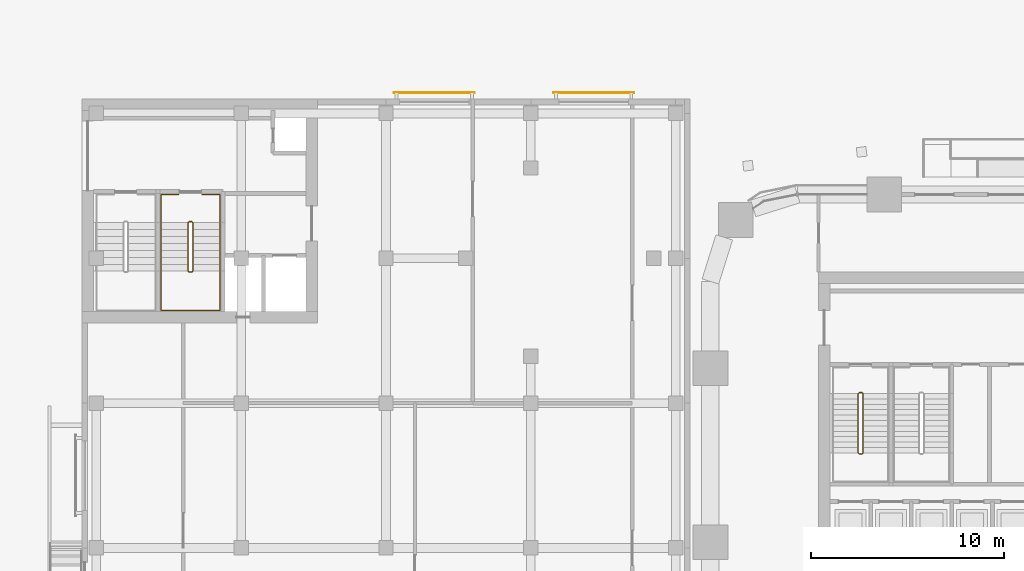
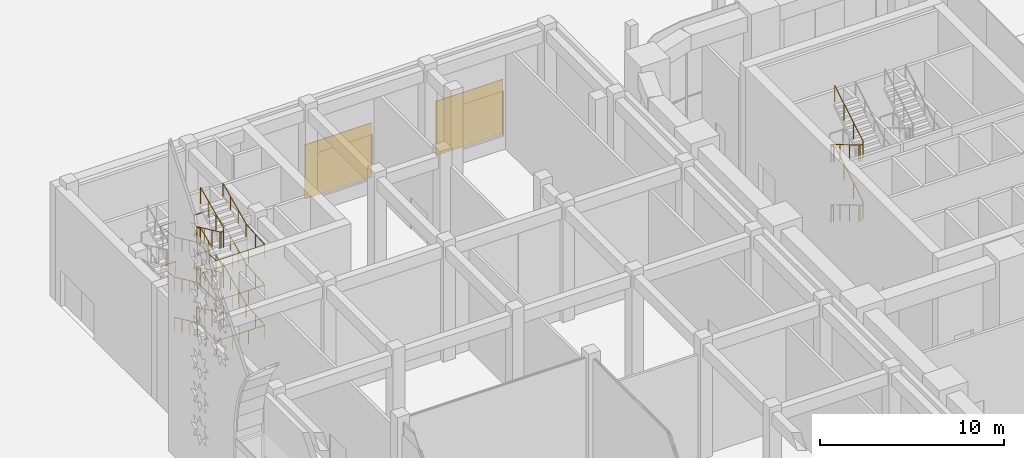
# One storey, part 57 of 64: 5 railings, 2 coverings.
"""IFC4 building model written with IfcOpenShell, lengths in metres."""

from ifc_helpers import new_model, si_unit, direction, frame, origin, origin_2d, place, context, subcontext, project, spatial, rectangle, circle, extrude, material, layer, layer_set, type_object, element, save


model = new_model("IFC4")

# Units and contexts
model_context = context("Model", 3, precision=1e-05, world=origin(), true_north=direction((0.0, 1.0)))
body_context = subcontext(model_context, "Body", "Model", "MODEL_VIEW")
ifc_project = project(units=[si_unit("LENGTHUNIT", "METRE"), si_unit("AREAUNIT", "SQUARE_METRE"), si_unit("VOLUMEUNIT", "CUBIC_METRE"), si_unit("PLANEANGLEUNIT", "RADIAN"), si_unit("MASSUNIT", "GRAM", prefix="KILO")], contexts=[model_context])

# Site, building, storey
site_placement = place(None, origin())
site = spatial("IfcSite", under=ifc_project, at=site_placement, CompositionType="ELEMENT")
building_placement = place(site_placement, origin())
building = spatial("IfcBuilding", under=site, at=building_placement, Name="Tessera Arch", CompositionType="ELEMENT")
storey_placement = place(building_placement, origin())
storey = spatial("IfcBuildingStorey", under=building, at=storey_placement, Name="L00", CompositionType="ELEMENT", Elevation=0.0)

# Coverings
ifc_material_1 = material(Name="Anodised aluminium pale metal", Category="aluminium")
ifc_layer = layer(ifc_material_1, 0.0400390625)
ifc_layer_set = layer_set([ifc_layer], Name="Museum screen panel")
covering_type = type_object("IfcCoveringType", Name="Museum screen panel", PredefinedType="CLADDING", material=ifc_layer_set)
for number, where, z_axis, x_axis, name in (
    (1, (-6.050048828125, 59.27001953125, 0.599853515625), (0.0, 0.0, 1.0), (-1.0, 0.0, 0.0), "Screen panel museum L00 5-2"),
    (2, (-14.300048828125, 59.27001953125, 0.599853515625), (0.0, 0.0, 1.0), (-1.0, 0.0, 0.0), "Screen panel museum L00 5-3"),
):
    element("IfcCovering", number, at=place(storey_placement, frame(where, z_axis=z_axis, x_axis=x_axis)), inside=storey, type_object=covering_type, Name=name, PredefinedType="CLADDING", context=body_context, shape_type="SweptSolid", body=[
        extrude(rectangle(XDim=4.199951171875, YDim=0.0400390625, at=origin_2d()), origin(), (0.0, 0.0, 1.0), 3.60009765625),
    ])

# Railings
ifc_material_2 = material(Name="Painted steel balustrade", Category="steel")
railing_type_1 = type_object("IfcRailingType", Name="Stair guard 1100", PredefinedType="GUARDRAIL", material=ifc_material_2)
railing_1_placement = place(storey_placement, frame((-27.0, 52.60009765625, 0.0)))
element("IfcRailing", 3, at=railing_1_placement, inside=storey, type_object=railing_type_1, Name="L00 M1b stair guard 1", PredefinedType="GUARDRAIL", context=body_context, shape_type="SweptSolid", body=[
    extrude(circle(Radius=0.02392578125, at=origin_2d()), frame((-0.00390625, 0.0, 1.076171875), z_axis=(1.0, 0.0, 0.0), x_axis=(0.0, 1.0, 0.0)), (0.0, 0.0, 1.0), 0.157958984375),
    extrude(circle(Radius=0.02392578125, at=origin_2d()), frame((0.15283203125, 0.000732421875, 1.073486328125), z_axis=(-0.754182335027, -0.188775798145, 0.628945707965), x_axis=(0.242814311512, -0.970072785993, 0.0)), (0.0, 0.0, 1.0), 0.273193359375),
    extrude(circle(Radius=0.02392578125, at=origin_2d()), frame((-0.050048828125, -0.04638671875, 1.2412109375), z_axis=(0.0, -0.907490492863, 0.420072619153), x_axis=(1.0, 0.0, 0.0)), (0.0, 0.0, 1.0), 2.784912109375),
    extrude(circle(Radius=0.02392578125, at=origin_2d()), frame((-0.052978515625, -2.567138671875, 2.4091796875), z_axis=(0.707106781187, -0.707106781187, 0.0), x_axis=(0.707106781187, 0.707106781187, 0.0)), (0.0, 0.0, 1.0), 0.078857421875),
    extrude(circle(Radius=0.02392578125, at=origin_2d()), frame((-0.00390625, -2.6201171875, 2.4091796875), z_axis=(1.0, 0.0, 0.0), x_axis=(0.0, 1.0, 0.0)), (0.0, 0.0, 1.0), 0.157958984375),
    extrude(circle(Radius=0.02392578125, at=origin_2d()), frame((0.148681640625, -2.621337890625, 2.405517578125), z_axis=(0.27628659633, 0.27628659633, 0.920506074601), x_axis=(-0.707106781187, 0.707106781187, 0.0)), (0.0, 0.0, 1.0), 0.189208984375),
    extrude(circle(Radius=0.02392578125, at=origin_2d()), frame((0.199951171875, -2.57373046875, 2.574462890625), z_axis=(0.0, 0.907456975791, 0.420145019115), x_axis=(-1.0, 0.0, 0.0)), (0.0, 0.0, 1.0), 2.784912109375),
    extrude(circle(Radius=0.02392578125, at=origin_2d()), frame((0.203857421875, -0.051025390625, 3.74267578125), z_axis=(-0.970072785993, 0.242814311512, 0.0), x_axis=(-0.242814311512, -0.970072785993, 0.0)), (0.0, 0.0, 1.0), 0.214111328125),
    extrude(circle(Radius=0.02392578125, at=origin_2d()), frame((-0.00390625, 0.0, 3.74267578125), z_axis=(1.0, 0.0, 0.0), x_axis=(0.0, 1.0, 0.0)), (0.0, 0.0, 1.0), 0.157958984375),
    extrude(circle(Radius=0.02392578125, at=origin_2d()), frame((0.15283203125, 0.000732421875, 3.740234375), z_axis=(-0.754619193878, -0.188885146209, 0.628388632753), x_axis=(0.242814311512, -0.970072785993, 0.0)), (0.0, 0.0, 1.0), 0.27294921875),
    extrude(circle(Radius=0.02392578125, at=origin_2d()), frame((-0.050048828125, -0.04638671875, 3.90771484375), z_axis=(0.0, -0.907456975791, 0.420145019115), x_axis=(1.0, 0.0, 0.0)), (0.0, 0.0, 1.0), 2.784912109375),
    extrude(circle(Radius=0.02392578125, at=origin_2d()), frame((-0.052978515625, -2.567138671875, 5.076171875), z_axis=(0.707106781187, -0.707106781187, 0.0), x_axis=(0.707106781187, 0.707106781187, 0.0)), (0.0, 0.0, 1.0), 0.078857421875),
    extrude(circle(Radius=0.02392578125, at=origin_2d()), frame((-0.00390625, -2.6201171875, 5.076171875), z_axis=(1.0, 0.0, 0.0), x_axis=(0.0, 1.0, 0.0)), (0.0, 0.0, 1.0), 0.157958984375),
    extrude(circle(Radius=0.02392578125, at=origin_2d()), frame((0.148681640625, -2.621337890625, 5.072265625), z_axis=(0.27628659633, 0.27628659633, 0.920506074601), x_axis=(-0.707106781187, 0.707106781187, 0.0)), (0.0, 0.0, 1.0), 0.189208984375),
    extrude(circle(Radius=0.02392578125, at=origin_2d()), frame((0.199951171875, -2.57373046875, 5.2412109375), z_axis=(0.0, 0.907490492863, 0.420072619153), x_axis=(-1.0, 0.0, 0.0)), (0.0, 0.0, 1.0), 2.784912109375),
    extrude(circle(Radius=0.02392578125, at=origin_2d()), frame((0.203857421875, -0.051025390625, 6.4091796875), z_axis=(-0.970072785993, 0.242814311512, 0.0), x_axis=(-0.242814311512, -0.970072785993, 0.0)), (0.0, 0.0, 1.0), 0.214111328125),
    extrude(circle(Radius=0.02392578125, at=origin_2d()), frame((-0.00390625, 0.0, 6.4091796875), z_axis=(1.0, 0.0, 0.0), x_axis=(0.0, 1.0, 0.0)), (0.0, 0.0, 1.0), 0.157958984375),
    extrude(circle(Radius=0.02392578125, at=origin_2d()), frame((0.15283203125, 0.000732421875, 6.40673828125), z_axis=(-0.754182335027, -0.188775798145, 0.628945707965), x_axis=(0.242814311512, -0.970072785993, 0.0)), (0.0, 0.0, 1.0), 0.273193359375),
    extrude(circle(Radius=0.02392578125, at=origin_2d()), frame((-0.050048828125, -0.04638671875, 6.574462890625), z_axis=(0.0, -0.907456975791, 0.420145019115), x_axis=(1.0, 0.0, 0.0)), (0.0, 0.0, 1.0), 2.784912109375),
    extrude(circle(Radius=0.02392578125, at=origin_2d()), frame((-0.052978515625, -2.567138671875, 7.74267578125), z_axis=(0.707106781187, -0.707106781187, 0.0), x_axis=(0.707106781187, 0.707106781187, 0.0)), (0.0, 0.0, 1.0), 0.078857421875),
    extrude(circle(Radius=0.02392578125, at=origin_2d()), frame((-0.00390625, -2.6201171875, 7.74267578125), z_axis=(1.0, 0.0, 0.0), x_axis=(0.0, 1.0, 0.0)), (0.0, 0.0, 1.0), 0.157958984375),
    extrude(circle(Radius=0.02392578125, at=origin_2d()), frame((0.148681640625, -2.621337890625, 7.739013671875), z_axis=(0.27662974545, 0.27662974545, 0.920299933644), x_axis=(-0.707106781187, 0.707106781187, 0.0)), (0.0, 0.0, 1.0), 0.18896484375),
    extrude(circle(Radius=0.02392578125, at=origin_2d()), frame((0.199951171875, -2.57373046875, 7.90771484375), z_axis=(0.0, 0.907456975791, 0.420145019115), x_axis=(-1.0, 0.0, 0.0)), (0.0, 0.0, 1.0), 2.784912109375),
    extrude(circle(Radius=0.02099609375, at=origin_2d()), origin(), (0.0, 0.0, 1.0), 1.06396484375),
    extrude(circle(Radius=0.02099609375, at=origin_2d()), frame((0.14990234375, 0.0, 0.0)), (0.0, 0.0, 1.0), 1.06396484375),
    extrude(circle(Radius=0.02099609375, at=origin_2d()), frame((-0.050048828125, -0.050048828125, 0.166748046875)), (0.0, 0.0, 1.0), 1.06396484375),
    extrude(circle(Radius=0.02099609375, at=origin_2d()), frame((-0.050048828125, -0.89013671875, 0.5556640625)), (0.0, 0.0, 1.0), 1.06396484375),
    extrude(circle(Radius=0.02099609375, at=origin_2d()), frame((-0.050048828125, -1.72998046875, 0.9443359375)), (0.0, 0.0, 1.0), 1.06396484375),
    extrude(circle(Radius=0.02099609375, at=origin_2d()), frame((-0.050048828125, -2.570068359375, 1.333251953125)), (0.0, 0.0, 1.0), 1.06396484375),
    extrude(circle(Radius=0.02099609375, at=origin_2d()), frame((0.0, -2.6201171875, 1.333251953125)), (0.0, 0.0, 1.0), 1.06396484375),
    extrude(circle(Radius=0.02099609375, at=origin_2d()), frame((0.14990234375, -2.6201171875, 1.333251953125)), (0.0, 0.0, 1.0), 1.06396484375),
    extrude(circle(Radius=0.02099609375, at=origin_2d()), frame((0.199951171875, -2.570068359375, 1.5)), (0.0, 0.0, 1.0), 1.06396484375),
    extrude(circle(Radius=0.02099609375, at=origin_2d()), frame((0.199951171875, -1.72998046875, 1.888916015625)), (0.0, 0.0, 1.0), 1.06396484375),
    extrude(circle(Radius=0.02099609375, at=origin_2d()), frame((0.199951171875, -0.89013671875, 2.27783203125)), (0.0, 0.0, 1.0), 1.06396484375),
    extrude(circle(Radius=0.02099609375, at=origin_2d()), frame((0.199951171875, -0.050048828125, 2.666748046875)), (0.0, 0.0, 1.0), 1.06396484375),
    extrude(circle(Radius=0.02099609375, at=origin_2d()), frame((0.0, 0.0, 2.666748046875)), (0.0, 0.0, 1.0), 1.06396484375),
    extrude(circle(Radius=0.02099609375, at=origin_2d()), frame((0.14990234375, 0.0, 2.666748046875)), (0.0, 0.0, 1.0), 1.06396484375),
    extrude(circle(Radius=0.02099609375, at=origin_2d()), frame((-0.050048828125, -0.050048828125, 2.833251953125)), (0.0, 0.0, 1.0), 1.06396484375),
    extrude(circle(Radius=0.02099609375, at=origin_2d()), frame((-0.050048828125, -0.89013671875, 3.22216796875)), (0.0, 0.0, 1.0), 1.06396484375),
    extrude(circle(Radius=0.02099609375, at=origin_2d()), frame((-0.050048828125, -1.72998046875, 3.611083984375)), (0.0, 0.0, 1.0), 1.06396484375),
    extrude(circle(Radius=0.02099609375, at=origin_2d()), frame((-0.050048828125, -2.570068359375, 4.0)), (0.0, 0.0, 1.0), 1.06396484375),
    extrude(circle(Radius=0.02099609375, at=origin_2d()), frame((0.0, -2.6201171875, 4.0)), (0.0, 0.0, 1.0), 1.06396484375),
    extrude(circle(Radius=0.02099609375, at=origin_2d()), frame((0.14990234375, -2.6201171875, 4.0)), (0.0, 0.0, 1.0), 1.06396484375),
    extrude(circle(Radius=0.02099609375, at=origin_2d()), frame((0.199951171875, -2.570068359375, 4.166748046875)), (0.0, 0.0, 1.0), 1.06396484375),
    extrude(circle(Radius=0.02099609375, at=origin_2d()), frame((0.199951171875, -1.72998046875, 4.5556640625)), (0.0, 0.0, 1.0), 1.06396484375),
    extrude(circle(Radius=0.02099609375, at=origin_2d()), frame((0.199951171875, -0.89013671875, 4.9443359375)), (0.0, 0.0, 1.0), 1.06396484375),
    extrude(circle(Radius=0.02099609375, at=origin_2d()), frame((0.199951171875, -0.050048828125, 5.333251953125)), (0.0, 0.0, 1.0), 1.06396484375),
    extrude(circle(Radius=0.02099609375, at=origin_2d()), frame((0.0, 0.0, 5.333251953125)), (0.0, 0.0, 1.0), 1.06396484375),
    extrude(circle(Radius=0.02099609375, at=origin_2d()), frame((0.14990234375, 0.0, 5.333251953125)), (0.0, 0.0, 1.0), 1.06396484375),
    extrude(circle(Radius=0.02099609375, at=origin_2d()), frame((-0.050048828125, -0.050048828125, 5.5)), (0.0, 0.0, 1.0), 1.06396484375),
    extrude(circle(Radius=0.02099609375, at=origin_2d()), frame((-0.050048828125, -0.89013671875, 5.888916015625)), (0.0, 0.0, 1.0), 1.06396484375),
    extrude(circle(Radius=0.02099609375, at=origin_2d()), frame((-0.050048828125, -1.72998046875, 6.27783203125)), (0.0, 0.0, 1.0), 1.06396484375),
    extrude(circle(Radius=0.02099609375, at=origin_2d()), frame((-0.050048828125, -2.570068359375, 6.666748046875)), (0.0, 0.0, 1.0), 1.06396484375),
    extrude(circle(Radius=0.02099609375, at=origin_2d()), frame((0.0, -2.6201171875, 6.666748046875)), (0.0, 0.0, 1.0), 1.06396484375),
    extrude(circle(Radius=0.02099609375, at=origin_2d()), frame((0.14990234375, -2.6201171875, 6.666748046875)), (0.0, 0.0, 1.0), 1.06396484375),
    extrude(circle(Radius=0.02099609375, at=origin_2d()), frame((0.199951171875, -2.570068359375, 6.833251953125)), (0.0, 0.0, 1.0), 1.06396484375),
    extrude(circle(Radius=0.02099609375, at=origin_2d()), frame((0.199951171875, -1.72998046875, 7.22216796875)), (0.0, 0.0, 1.0), 1.06396484375),
    extrude(circle(Radius=0.02099609375, at=origin_2d()), frame((0.199951171875, -0.89013671875, 7.611083984375)), (0.0, 0.0, 1.0), 1.06396484375),
    extrude(circle(Radius=0.02099609375, at=origin_2d()), frame((0.199951171875, -0.050048828125, 8.0)), (0.0, 0.0, 1.0), 1.06396484375),
])
railing_2_placement = place(storey_placement, frame((7.699951171875, 43.75, 0.0)))
element("IfcRailing", 4, at=railing_2_placement, inside=storey, type_object=railing_type_1, Name="L00 S2a stair guard 1", PredefinedType="GUARDRAIL", context=body_context, shape_type="SweptSolid", body=[
    extrude(circle(Radius=0.02392578125, at=origin_2d()), frame((-0.00390625, 0.0, 1.076171875), z_axis=(1.0, 0.0, 0.0), x_axis=(0.0, 1.0, 0.0)), (0.0, 0.0, 1.0), 0.158203125),
    extrude(circle(Radius=0.02392578125, at=origin_2d()), frame((0.153076171875, 0.000732421875, 1.073486328125), z_axis=(-0.75457900375, -0.188644750937, 0.628509097026), x_axis=(0.242535625036, -0.970142500145, 0.0)), (0.0, 0.0, 1.0), 0.273193359375),
    extrude(circle(Radius=0.02392578125, at=origin_2d()), frame((-0.050048828125, -0.046630859375, 1.24072265625), z_axis=(0.0, -0.859290745958, 0.51148745235), x_axis=(1.0, 0.0, 0.0)), (0.0, 0.0, 1.0), 3.592041015625),
    extrude(circle(Radius=0.02392578125, at=origin_2d()), frame((-0.052978515625, -3.126953125, 3.076171875), z_axis=(0.707106781187, -0.707106781187, 0.0), x_axis=(0.707106781187, 0.707106781187, 0.0)), (0.0, 0.0, 1.0), 0.078857421875),
    extrude(circle(Radius=0.02392578125, at=origin_2d()), frame((-0.00390625, -3.179931640625, 3.076171875), z_axis=(1.0, 0.0, 0.0), x_axis=(0.0, 1.0, 0.0)), (0.0, 0.0, 1.0), 0.158203125),
    extrude(circle(Radius=0.02392578125, at=origin_2d()), frame((0.14892578125, -3.18115234375, 3.072265625), z_axis=(0.275041040955, 0.276389281352, 0.920848191041), x_axis=(-0.708833529934, 0.705375805398, 0.0)), (0.0, 0.0, 1.0), 0.18896484375),
    extrude(circle(Radius=0.02392578125, at=origin_2d()), frame((0.199951171875, -3.13330078125, 3.24072265625), z_axis=(0.0, 0.859290745958, 0.51148745235), x_axis=(-1.0, 0.0, 0.0)), (0.0, 0.0, 1.0), 3.592041015625),
    extrude(circle(Radius=0.02392578125, at=origin_2d()), frame((0.203857421875, -0.051025390625, 5.076171875), z_axis=(-0.970072785993, 0.242814311512, 0.0), x_axis=(-0.242814311512, -0.970072785993, 0.0)), (0.0, 0.0, 1.0), 0.214111328125),
    extrude(circle(Radius=0.02392578125, at=origin_2d()), frame((-0.00390625, 0.0, 5.076171875), z_axis=(1.0, 0.0, 0.0), x_axis=(0.0, 1.0, 0.0)), (0.0, 0.0, 1.0), 0.158203125),
    extrude(circle(Radius=0.02392578125, at=origin_2d()), frame((0.153076171875, 0.000732421875, 5.073486328125), z_axis=(-0.75457900375, -0.188644750937, 0.628509097026), x_axis=(0.242535625036, -0.970142500145, 0.0)), (0.0, 0.0, 1.0), 0.273193359375),
    extrude(circle(Radius=0.02392578125, at=origin_2d()), frame((-0.050048828125, -0.046630859375, 5.24072265625), z_axis=(0.0, -0.859290745958, 0.51148745235), x_axis=(1.0, 0.0, 0.0)), (0.0, 0.0, 1.0), 3.592041015625),
    extrude(circle(Radius=0.02392578125, at=origin_2d()), frame((-0.052978515625, -3.126953125, 7.076171875), z_axis=(0.707106781187, -0.707106781187, 0.0), x_axis=(0.707106781187, 0.707106781187, 0.0)), (0.0, 0.0, 1.0), 0.078857421875),
    extrude(circle(Radius=0.02392578125, at=origin_2d()), frame((-0.00390625, -3.179931640625, 7.076171875), z_axis=(1.0, 0.0, 0.0), x_axis=(0.0, 1.0, 0.0)), (0.0, 0.0, 1.0), 0.158203125),
    extrude(circle(Radius=0.02392578125, at=origin_2d()), frame((0.14892578125, -3.18115234375, 7.072265625), z_axis=(0.275041040955, 0.276389281352, 0.920848191041), x_axis=(-0.708833529934, 0.705375805398, 0.0)), (0.0, 0.0, 1.0), 0.18896484375),
    extrude(circle(Radius=0.02392578125, at=origin_2d()), frame((0.199951171875, -3.13330078125, 7.24072265625), z_axis=(0.0, 0.859290745958, 0.51148745235), x_axis=(-1.0, 0.0, 0.0)), (0.0, 0.0, 1.0), 3.592041015625),
    extrude(circle(Radius=0.02099609375, at=origin_2d()), origin(), (0.0, 0.0, 1.0), 1.06396484375),
    extrude(circle(Radius=0.02099609375, at=origin_2d()), frame((0.150146484375, 0.0, 0.0)), (0.0, 0.0, 1.0), 1.06396484375),
    extrude(circle(Radius=0.02099609375, at=origin_2d()), frame((-0.050048828125, -0.050048828125, 0.166748046875)), (0.0, 0.0, 1.0), 1.06396484375),
    extrude(circle(Radius=0.02099609375, at=origin_2d()), frame((-0.050048828125, -1.07666015625, 0.77783203125)), (0.0, 0.0, 1.0), 1.06396484375),
    extrude(circle(Radius=0.02099609375, at=origin_2d()), frame((-0.050048828125, -2.103271484375, 1.388916015625)), (0.0, 0.0, 1.0), 1.06396484375),
    extrude(circle(Radius=0.02099609375, at=origin_2d()), frame((-0.050048828125, -3.1298828125, 2.0)), (0.0, 0.0, 1.0), 1.06396484375),
    extrude(circle(Radius=0.02099609375, at=origin_2d()), frame((0.0, -3.179931640625, 2.0)), (0.0, 0.0, 1.0), 1.06396484375),
    extrude(circle(Radius=0.02099609375, at=origin_2d()), frame((0.150146484375, -3.179931640625, 2.0)), (0.0, 0.0, 1.0), 1.06396484375),
    extrude(circle(Radius=0.02099609375, at=origin_2d()), frame((0.199951171875, -3.1298828125, 2.166748046875)), (0.0, 0.0, 1.0), 1.06396484375),
    extrude(circle(Radius=0.02099609375, at=origin_2d()), frame((0.199951171875, -2.103271484375, 2.77783203125)), (0.0, 0.0, 1.0), 1.06396484375),
    extrude(circle(Radius=0.02099609375, at=origin_2d()), frame((0.199951171875, -1.07666015625, 3.388916015625)), (0.0, 0.0, 1.0), 1.06396484375),
    extrude(circle(Radius=0.02099609375, at=origin_2d()), frame((0.199951171875, -0.050048828125, 4.0)), (0.0, 0.0, 1.0), 1.06396484375),
    extrude(circle(Radius=0.02099609375, at=origin_2d()), frame((0.0, 0.0, 4.0)), (0.0, 0.0, 1.0), 1.06396484375),
    extrude(circle(Radius=0.02099609375, at=origin_2d()), frame((0.150146484375, 0.0, 4.0)), (0.0, 0.0, 1.0), 1.06396484375),
    extrude(circle(Radius=0.02099609375, at=origin_2d()), frame((-0.050048828125, -0.050048828125, 4.166748046875)), (0.0, 0.0, 1.0), 1.06396484375),
    extrude(circle(Radius=0.02099609375, at=origin_2d()), frame((-0.050048828125, -1.07666015625, 4.77783203125)), (0.0, 0.0, 1.0), 1.06396484375),
    extrude(circle(Radius=0.02099609375, at=origin_2d()), frame((-0.050048828125, -2.103271484375, 5.388916015625)), (0.0, 0.0, 1.0), 1.06396484375),
    extrude(circle(Radius=0.02099609375, at=origin_2d()), frame((-0.050048828125, -3.1298828125, 6.0)), (0.0, 0.0, 1.0), 1.06396484375),
    extrude(circle(Radius=0.02099609375, at=origin_2d()), frame((0.0, -3.179931640625, 6.0)), (0.0, 0.0, 1.0), 1.06396484375),
    extrude(circle(Radius=0.02099609375, at=origin_2d()), frame((0.150146484375, -3.179931640625, 6.0)), (0.0, 0.0, 1.0), 1.06396484375),
    extrude(circle(Radius=0.02099609375, at=origin_2d()), frame((0.199951171875, -3.1298828125, 6.166748046875)), (0.0, 0.0, 1.0), 1.06396484375),
    extrude(circle(Radius=0.02099609375, at=origin_2d()), frame((0.199951171875, -2.103271484375, 6.77783203125)), (0.0, 0.0, 1.0), 1.06396484375),
    extrude(circle(Radius=0.02099609375, at=origin_2d()), frame((0.199951171875, -1.07666015625, 7.388916015625)), (0.0, 0.0, 1.0), 1.06396484375),
    extrude(circle(Radius=0.02099609375, at=origin_2d()), frame((0.199951171875, -0.050048828125, 8.0)), (0.0, 0.0, 1.0), 1.06396484375),
])
ifc_material_3 = material(Name="Painted steel handrail", Category="steel")
railing_type_2 = type_object("IfcRailingType", Name="Stair handrail 900", PredefinedType="HANDRAIL", material=ifc_material_3)
railing_3_placement = place(storey_placement, frame((-28.449951171875, 52.550048828125, 0.166748046875)))
element("IfcRailing", 5, at=railing_3_placement, inside=storey, type_object=railing_type_2, Name="L00 M1b stair handrail", PredefinedType="HANDRAIL", context=body_context, shape_type="SweptSolid", body=[
    extrude(circle(Radius=0.02392578125, at=origin_2d()), frame((0.0, 0.003662109375, 0.874267578125), z_axis=(0.0, -0.907490492863, 0.420072619153), x_axis=(1.0, 0.0, 0.0)), (0.0, 0.0, 1.0), 2.784912109375),
    extrude(circle(Radius=0.02392578125, at=origin_2d()), frame((0.0, -2.51611328125, 2.04248046875), z_axis=(0.0, -1.0, 0.0), x_axis=(1.0, 0.0, 0.0)), (0.0, 0.0, 1.0), 2.0380859375),
    extrude(circle(Radius=0.02392578125, at=origin_2d()), frame((-0.00390625, -4.550048828125, 2.04248046875), z_axis=(1.0, 0.0, 0.0), x_axis=(0.0, 1.0, 0.0)), (0.0, 0.0, 1.0), 3.05810546875),
    extrude(circle(Radius=0.02392578125, at=origin_2d()), frame((3.050048828125, -4.553955078125, 2.0419921875), z_axis=(0.0, 0.996643427735, 0.081864998334), x_axis=(-1.0, 0.0, 0.0)), (0.0, 0.0, 1.0), 2.044921875),
    extrude(circle(Radius=0.02392578125, at=origin_2d()), frame((3.050048828125, -2.523681640625, 2.20751953125), z_axis=(0.0, 0.907456975791, 0.420145019115), x_axis=(-1.0, 0.0, 0.0)), (0.0, 0.0, 1.0), 2.784912109375),
    extrude(circle(Radius=0.02392578125, at=origin_2d()), frame((3.050048828125, -0.00390625, 3.3759765625), z_axis=(0.0, 1.0, 0.0), x_axis=(-1.0, 0.0, 0.0)), (0.0, 0.0, 1.0), 1.4580078125),
    extrude(circle(Radius=0.02392578125, at=origin_2d()), frame((3.053955078125, 1.449951171875, 3.3759765625), z_axis=(-1.0, 0.0, 0.0), x_axis=(0.0, -1.0, 0.0)), (0.0, 0.0, 1.0), 0.93310546875),
    extrude(circle(Radius=0.02099609375, at=origin_2d()), origin(), (0.0, 0.0, 1.0), 0.86376953125),
    extrude(circle(Radius=0.02099609375, at=origin_2d()), frame((0.0, -0.840087890625, 0.388916015625)), (0.0, 0.0, 1.0), 0.86376953125),
    extrude(circle(Radius=0.02099609375, at=origin_2d()), frame((0.0, -1.679931640625, 0.777587890625)), (0.0, 0.0, 1.0), 0.86376953125),
    extrude(circle(Radius=0.02099609375, at=origin_2d()), frame((0.0, -2.52001953125, 1.16650390625)), (0.0, 0.0, 1.0), 0.86376953125),
    extrude(circle(Radius=0.02099609375, at=origin_2d()), frame((0.0, -3.53515625, 1.16650390625)), (0.0, 0.0, 1.0), 0.86376953125),
    extrude(circle(Radius=0.02099609375, at=origin_2d()), frame((0.0, -4.550048828125, 1.16650390625)), (0.0, 0.0, 1.0), 0.86376953125),
    extrude(circle(Radius=0.02099609375, at=origin_2d()), frame((1.0166015625, -4.550048828125, 1.16650390625)), (0.0, 0.0, 1.0), 0.86376953125),
    extrude(circle(Radius=0.02099609375, at=origin_2d()), frame((2.033447265625, -4.550048828125, 1.16650390625)), (0.0, 0.0, 1.0), 0.86376953125),
    extrude(circle(Radius=0.02099609375, at=origin_2d()), frame((3.050048828125, -4.550048828125, 1.16650390625)), (0.0, 0.0, 1.0), 0.86376953125),
    extrude(circle(Radius=0.02099609375, at=origin_2d()), frame((3.050048828125, -3.53515625, 1.25)), (0.0, 0.0, 1.0), 0.86376953125),
    extrude(circle(Radius=0.02099609375, at=origin_2d()), frame((3.050048828125, -2.52001953125, 1.333251953125)), (0.0, 0.0, 1.0), 0.86376953125),
    extrude(circle(Radius=0.02099609375, at=origin_2d()), frame((3.050048828125, -1.679931640625, 1.72216796875)), (0.0, 0.0, 1.0), 0.86376953125),
    extrude(circle(Radius=0.02099609375, at=origin_2d()), frame((3.050048828125, -0.840087890625, 2.111083984375)), (0.0, 0.0, 1.0), 0.86376953125),
    extrude(circle(Radius=0.02099609375, at=origin_2d()), frame((3.050048828125, 0.0, 2.5)), (0.0, 0.0, 1.0), 0.86376953125),
    extrude(circle(Radius=0.02099609375, at=origin_2d()), frame((3.050048828125, 0.72509765625, 2.5)), (0.0, 0.0, 1.0), 0.86376953125),
    extrude(circle(Radius=0.02099609375, at=origin_2d()), frame((3.050048828125, 1.449951171875, 2.5)), (0.0, 0.0, 1.0), 0.86376953125),
    extrude(circle(Radius=0.02099609375, at=origin_2d()), frame((2.125, 1.449951171875, 2.5)), (0.0, 0.0, 1.0), 0.86376953125),
])
railing_4_placement = place(storey_placement, frame((-27.52490234375, 54.0, 2.666748046875)))
element("IfcRailing", 6, at=railing_4_placement, inside=storey, type_object=railing_type_2, Name="L00 M1b stair handrail 2", PredefinedType="HANDRAIL", context=body_context, shape_type="SweptSolid", body=[
    extrude(circle(Radius=0.02392578125, at=origin_2d()), frame((0.00390625, 0.0, 0.8759765625), z_axis=(-1.0, 0.0, 0.0), x_axis=(0.0, -1.0, 0.0)), (0.0, 0.0, 1.0), 0.93310546875),
    extrude(circle(Radius=0.02392578125, at=origin_2d()), frame((-0.925048828125, 0.00390625, 0.87548828125), z_axis=(0.0, -0.993471061085, 0.114084402031), x_axis=(1.0, 0.0, 0.0)), (0.0, 0.0, 1.0), 1.467529296875),
    extrude(circle(Radius=0.02392578125, at=origin_2d()), frame((-0.925048828125, -1.4462890625, 1.040771484375), z_axis=(0.0, -0.907456975791, 0.420145019115), x_axis=(1.0, 0.0, 0.0)), (0.0, 0.0, 1.0), 2.784912109375),
    extrude(circle(Radius=0.02392578125, at=origin_2d()), frame((-0.925048828125, -3.966064453125, 2.208984375), z_axis=(0.0, -1.0, 0.0), x_axis=(1.0, 0.0, 0.0)), (0.0, 0.0, 1.0), 2.0380859375),
    extrude(circle(Radius=0.02392578125, at=origin_2d()), frame((-0.928955078125, -6.0, 2.208984375), z_axis=(1.0, 0.0, 0.0), x_axis=(0.0, 1.0, 0.0)), (0.0, 0.0, 1.0), 3.05810546875),
    extrude(circle(Radius=0.02392578125, at=origin_2d()), frame((2.125, -6.00390625, 2.208740234375), z_axis=(0.0, 0.996643427735, 0.081864998334), x_axis=(-1.0, 0.0, 0.0)), (0.0, 0.0, 1.0), 2.044921875),
    extrude(circle(Radius=0.02392578125, at=origin_2d()), frame((2.125, -3.9736328125, 2.374267578125), z_axis=(0.0, 0.907490492863, 0.420072619153), x_axis=(-1.0, 0.0, 0.0)), (0.0, 0.0, 1.0), 2.784912109375),
    extrude(circle(Radius=0.02392578125, at=origin_2d()), frame((2.125, -1.453857421875, 3.54248046875), z_axis=(0.0, 1.0, 0.0), x_axis=(-1.0, 0.0, 0.0)), (0.0, 0.0, 1.0), 1.4580078125),
    extrude(circle(Radius=0.02392578125, at=origin_2d()), frame((2.12890625, 0.0, 3.54248046875), z_axis=(-1.0, 0.0, 0.0), x_axis=(0.0, -1.0, 0.0)), (0.0, 0.0, 1.0), 0.93310546875),
    extrude(circle(Radius=0.02099609375, at=origin_2d()), origin(), (0.0, 0.0, 1.0), 0.86376953125),
    extrude(circle(Radius=0.02099609375, at=origin_2d()), frame((-0.925048828125, 0.0, 0.0)), (0.0, 0.0, 1.0), 0.86376953125),
    extrude(circle(Radius=0.02099609375, at=origin_2d()), frame((-0.925048828125, -0.72509765625, 0.083251953125)), (0.0, 0.0, 1.0), 0.86376953125),
    extrude(circle(Radius=0.02099609375, at=origin_2d()), frame((-0.925048828125, -1.449951171875, 0.16650390625)), (0.0, 0.0, 1.0), 0.86376953125),
    extrude(circle(Radius=0.02099609375, at=origin_2d()), frame((-0.925048828125, -2.2900390625, 0.555419921875)), (0.0, 0.0, 1.0), 0.86376953125),
    extrude(circle(Radius=0.02099609375, at=origin_2d()), frame((-0.925048828125, -3.1298828125, 0.9443359375)), (0.0, 0.0, 1.0), 0.86376953125),
    extrude(circle(Radius=0.02099609375, at=origin_2d()), frame((-0.925048828125, -3.969970703125, 1.333251953125)), (0.0, 0.0, 1.0), 0.86376953125),
    extrude(circle(Radius=0.02099609375, at=origin_2d()), frame((-0.925048828125, -4.98486328125, 1.333251953125)), (0.0, 0.0, 1.0), 0.86376953125),
    extrude(circle(Radius=0.02099609375, at=origin_2d()), frame((-0.925048828125, -6.0, 1.333251953125)), (0.0, 0.0, 1.0), 0.86376953125),
    extrude(circle(Radius=0.02099609375, at=origin_2d()), frame((0.091552734375, -6.0, 1.333251953125)), (0.0, 0.0, 1.0), 0.86376953125),
    extrude(circle(Radius=0.02099609375, at=origin_2d()), frame((1.1083984375, -6.0, 1.333251953125)), (0.0, 0.0, 1.0), 0.86376953125),
    extrude(circle(Radius=0.02099609375, at=origin_2d()), frame((2.125, -6.0, 1.333251953125)), (0.0, 0.0, 1.0), 0.86376953125),
    extrude(circle(Radius=0.02099609375, at=origin_2d()), frame((2.125, -4.98486328125, 1.41650390625)), (0.0, 0.0, 1.0), 0.86376953125),
    extrude(circle(Radius=0.02099609375, at=origin_2d()), frame((2.125, -3.969970703125, 1.5)), (0.0, 0.0, 1.0), 0.86376953125),
    extrude(circle(Radius=0.02099609375, at=origin_2d()), frame((2.125, -3.1298828125, 1.888916015625)), (0.0, 0.0, 1.0), 0.86376953125),
    extrude(circle(Radius=0.02099609375, at=origin_2d()), frame((2.125, -2.2900390625, 2.277587890625)), (0.0, 0.0, 1.0), 0.86376953125),
    extrude(circle(Radius=0.02099609375, at=origin_2d()), frame((2.125, -1.449951171875, 2.66650390625)), (0.0, 0.0, 1.0), 0.86376953125),
    extrude(circle(Radius=0.02099609375, at=origin_2d()), frame((2.125, -0.72509765625, 2.66650390625)), (0.0, 0.0, 1.0), 0.86376953125),
    extrude(circle(Radius=0.02099609375, at=origin_2d()), frame((2.125, 0.0, 2.66650390625)), (0.0, 0.0, 1.0), 0.86376953125),
    extrude(circle(Radius=0.02099609375, at=origin_2d()), frame((1.199951171875, 0.0, 2.66650390625)), (0.0, 0.0, 1.0), 0.86376953125),
])
railing_5_placement = place(storey_placement, frame((-27.52490234375, 54.0, 5.333251953125)))
element("IfcRailing", 7, at=railing_5_placement, inside=storey, type_object=railing_type_2, Name="L00 M1b stair handrail 3", PredefinedType="HANDRAIL", context=body_context, shape_type="SweptSolid", body=[
    extrude(circle(Radius=0.02392578125, at=origin_2d()), frame((0.00390625, 0.0, 0.8759765625), z_axis=(-1.0, 0.0, 0.0), x_axis=(0.0, -1.0, 0.0)), (0.0, 0.0, 1.0), 0.93310546875),
    extrude(circle(Radius=0.02392578125, at=origin_2d()), frame((-0.925048828125, 0.00390625, 0.87548828125), z_axis=(0.0, -0.993452088381, 0.114249499304), x_axis=(1.0, 0.0, 0.0)), (0.0, 0.0, 1.0), 1.467529296875),
    extrude(circle(Radius=0.02392578125, at=origin_2d()), frame((-0.925048828125, -1.4462890625, 1.041015625), z_axis=(0.0, -0.907456975791, 0.420145019115), x_axis=(1.0, 0.0, 0.0)), (0.0, 0.0, 1.0), 2.784912109375),
    extrude(circle(Radius=0.02392578125, at=origin_2d()), frame((-0.925048828125, -3.966064453125, 2.20947265625), z_axis=(0.0, -1.0, 0.0), x_axis=(1.0, 0.0, 0.0)), (0.0, 0.0, 1.0), 2.0380859375),
    extrude(circle(Radius=0.02392578125, at=origin_2d()), frame((-0.928955078125, -6.0, 2.20947265625), z_axis=(1.0, 0.0, 0.0), x_axis=(0.0, 1.0, 0.0)), (0.0, 0.0, 1.0), 3.05810546875),
    extrude(circle(Radius=0.02392578125, at=origin_2d()), frame((2.125, -6.00390625, 2.208984375), z_axis=(0.0, 0.996653200197, 0.08174593897), x_axis=(-1.0, 0.0, 0.0)), (0.0, 0.0, 1.0), 2.044921875),
    extrude(circle(Radius=0.02392578125, at=origin_2d()), frame((2.125, -3.9736328125, 2.374267578125), z_axis=(0.0, 0.907456975791, 0.420145019115), x_axis=(-1.0, 0.0, 0.0)), (0.0, 0.0, 1.0), 2.784912109375),
    extrude(circle(Radius=0.02099609375, at=origin_2d()), origin(), (0.0, 0.0, 1.0), 0.86376953125),
    extrude(circle(Radius=0.02099609375, at=origin_2d()), frame((-0.925048828125, 0.0, 0.0)), (0.0, 0.0, 1.0), 0.86376953125),
    extrude(circle(Radius=0.02099609375, at=origin_2d()), frame((-0.925048828125, -0.72509765625, 0.08349609375)), (0.0, 0.0, 1.0), 0.86376953125),
    extrude(circle(Radius=0.02099609375, at=origin_2d()), frame((-0.925048828125, -1.449951171875, 0.166748046875)), (0.0, 0.0, 1.0), 0.86376953125),
    extrude(circle(Radius=0.02099609375, at=origin_2d()), frame((-0.925048828125, -2.2900390625, 0.5556640625)), (0.0, 0.0, 1.0), 0.86376953125),
    extrude(circle(Radius=0.02099609375, at=origin_2d()), frame((-0.925048828125, -3.1298828125, 0.944580078125)), (0.0, 0.0, 1.0), 0.86376953125),
    extrude(circle(Radius=0.02099609375, at=origin_2d()), frame((-0.925048828125, -3.969970703125, 1.33349609375)), (0.0, 0.0, 1.0), 0.86376953125),
    extrude(circle(Radius=0.02099609375, at=origin_2d()), frame((-0.925048828125, -4.98486328125, 1.33349609375)), (0.0, 0.0, 1.0), 0.86376953125),
    extrude(circle(Radius=0.02099609375, at=origin_2d()), frame((-0.925048828125, -6.0, 1.33349609375)), (0.0, 0.0, 1.0), 0.86376953125),
    extrude(circle(Radius=0.02099609375, at=origin_2d()), frame((0.091552734375, -6.0, 1.33349609375)), (0.0, 0.0, 1.0), 0.86376953125),
    extrude(circle(Radius=0.02099609375, at=origin_2d()), frame((1.1083984375, -6.0, 1.33349609375)), (0.0, 0.0, 1.0), 0.86376953125),
    extrude(circle(Radius=0.02099609375, at=origin_2d()), frame((2.125, -6.0, 1.33349609375)), (0.0, 0.0, 1.0), 0.86376953125),
    extrude(circle(Radius=0.02099609375, at=origin_2d()), frame((2.125, -4.98486328125, 1.416748046875)), (0.0, 0.0, 1.0), 0.86376953125),
    extrude(circle(Radius=0.02099609375, at=origin_2d()), frame((2.125, -3.969970703125, 1.5)), (0.0, 0.0, 1.0), 0.86376953125),
    extrude(circle(Radius=0.02099609375, at=origin_2d()), frame((2.125, -3.1298828125, 1.888916015625)), (0.0, 0.0, 1.0), 0.86376953125),
    extrude(circle(Radius=0.02099609375, at=origin_2d()), frame((2.125, -2.2900390625, 2.27783203125)), (0.0, 0.0, 1.0), 0.86376953125),
    extrude(circle(Radius=0.02099609375, at=origin_2d()), frame((2.125, -1.449951171875, 2.666748046875)), (0.0, 0.0, 1.0), 0.86376953125),
])

save(model, "model.ifc")
